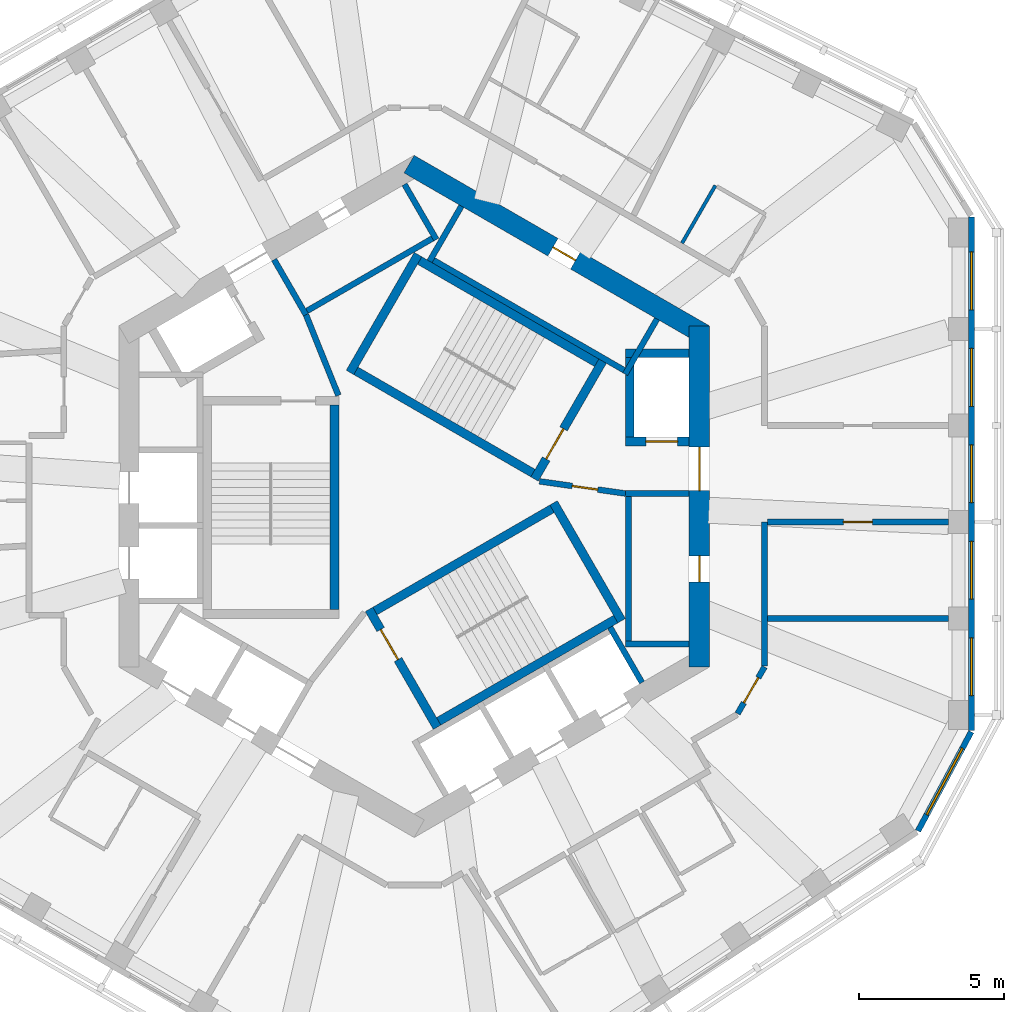
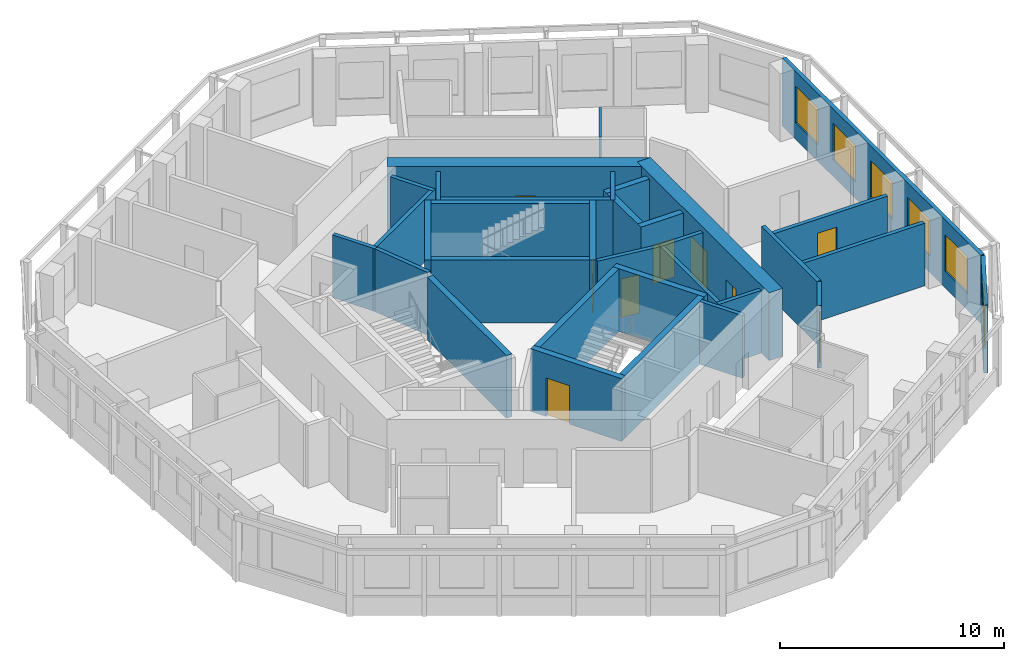
# One storey, part 6 of 11: 33 walls, 9 doors, 6 windows, 15 openings.
"""IFC4 building model written with IfcOpenShell, lengths in metres."""

import ifcopenshell
import ifcopenshell.guid

model = None  # the IFC model being written
_history = None  # IfcOwnerHistory: only IFC2X3 demands one
_inside = {}  # id of a spatial element -> (the spatial element, [elements in it])
_under = {}  # id of a project, library or spatial element -> (it, [spatial elements below it])
_declared = {}  # id of a project -> (the project, [libraries it declares])
_typed = {}  # id of a type object -> (the type object, [elements of that type])
_made_of = {}  # id of a material, layer set ... -> (it, [elements and type objects made of it])


def new_model(schema):
    """Start an empty IFC model of exactly this schema.

    Asked for "IFC4X3", IfcOpenShell would pick the latest addendum, in which some entities
    have other attributes; the version numbers below select the first issue.
    IFC2X3 requires an IfcOwnerHistory on every rooted entity: one is made here for all.
    """
    global model, _history
    if schema == "IFC4X3":
        model = ifcopenshell.file(schema_version=(4, 3, 0, 0))
    else:
        model = ifcopenshell.file(schema=schema)
    _inside.clear()
    _under.clear()
    _declared.clear()
    _typed.clear()
    _made_of.clear()
    _history = None
    if model.schema == "IFC2X3":
        org = make("IfcOrganization", Name="unknown")
        user = make(
            "IfcPersonAndOrganization",
            ThePerson=make("IfcPerson", FamilyName="unknown"),
            TheOrganization=org,
        )
        app = make(
            "IfcApplication",
            ApplicationDeveloper=org,
            Version="unknown",
            ApplicationFullName="unknown",
            ApplicationIdentifier="unknown",
        )
        _history = make(
            "IfcOwnerHistory",
            OwningUser=user,
            OwningApplication=app,
            ChangeAction="ADDED",
            CreationDate=0,
        )
    return model


def make(cls, **values):
    """One entity of the class cls with the attributes given. An attribute that is None is left unset."""
    return model.create_entity(
        cls, **{name: value for name, value in values.items() if value is not None}
    )


def rooted(cls, **values):
    """An entity with a GlobalId (a new one), such as an element, a storey or a relation."""
    return make(cls, GlobalId=ifcopenshell.guid.new(), OwnerHistory=_history, **values)


def si_unit(unit_type, name, prefix=None):
    """IfcSIUnit, for example si_unit("LENGTHUNIT", "METRE", prefix="MILLI")."""
    return make("IfcSIUnit", UnitType=unit_type, Prefix=prefix, Name=name)


def assignment(units):
    """IfcUnitAssignment: the units of a project."""
    return None if units is None else make("IfcUnitAssignment", Units=units)


def point(xyz):
    """IfcCartesianPoint."""
    return None if xyz is None else make("IfcCartesianPoint", Coordinates=xyz)


def direction(xyz):
    """IfcDirection."""
    return None if xyz is None else make("IfcDirection", DirectionRatios=xyz)


def frame(location, z_axis=None, x_axis=None):
    """IfcAxis2Placement3D, a coordinate frame: its origin and axes. An axis left out is left unset."""
    return make(
        "IfcAxis2Placement3D",
        Location=point(location),
        Axis=direction(z_axis),
        RefDirection=direction(x_axis),
    )


def frame_2d(location, x_axis=None):
    """IfcAxis2Placement2D, a coordinate frame in the plane: its origin and x axis."""
    return make(
        "IfcAxis2Placement2D", Location=point(location), RefDirection=direction(x_axis)
    )


def origin():
    """The frame at (0, 0, 0) with its axes left unset."""
    return frame((0.0, 0.0, 0.0))


def place(relative_to, where):
    """IfcLocalPlacement: puts the frame where relative to a parent placement (None: the world)."""
    return make(
        "IfcLocalPlacement", PlacementRelTo=relative_to, RelativePlacement=where
    )


def context(
    kind, dimensions, precision=None, world=None, true_north=None, identifier=None
):
    """IfcGeometricRepresentationContext, for example the 3D "Model" context."""
    return make(
        "IfcGeometricRepresentationContext",
        ContextIdentifier=identifier,
        ContextType=kind,
        CoordinateSpaceDimension=dimensions,
        Precision=precision,
        WorldCoordinateSystem=world,
        TrueNorth=true_north,
    )


def subcontext(parent, identifier, kind, view, scale=None):
    """IfcGeometricRepresentationSubContext, for example "Body" below "Model"."""
    return make(
        "IfcGeometricRepresentationSubContext",
        ContextIdentifier=identifier,
        ContextType=kind,
        ParentContext=parent,
        TargetScale=scale,
        TargetView=view,
    )


def project(units=None, contexts=None):
    """IfcProject with its units and contexts."""
    return rooted(
        "IfcProject",
        Name="project",
        RepresentationContexts=contexts,
        UnitsInContext=assignment(units),
    )


def spatial(cls, under=None, at=None, **own):
    """A site, building, storey or space (cls), placed at a placement, below another one or the project."""
    s = rooted(cls, ObjectPlacement=at, **own)
    if under is not None:
        _under.setdefault(under.id(), (under, []))[1].append(s)
    return s


def profile(cls, at=None, kind="AREA", **sizes):
    """A parametric profile (cls). Its sizes go by their IFC names, for example OverallWidth=200.0."""
    return make(cls, ProfileType=kind, Position=at, **sizes)


def rectangle(**sizes):
    """IfcRectangleProfileDef."""
    return profile("IfcRectangleProfileDef", **sizes)


def extrude(swept, where, along, depth):
    """IfcExtrudedAreaSolid: the profile swept, set in the frame where, extruded along a direction by depth."""
    return make(
        "IfcExtrudedAreaSolid",
        SweptArea=swept,
        Position=where,
        ExtrudedDirection=direction(along),
        Depth=depth,
    )


def shape(context_of_items, identifier, shape_type, items):
    """IfcShapeRepresentation: the items that make up one representation, for example the "Body"."""
    return make(
        "IfcShapeRepresentation",
        ContextOfItems=context_of_items,
        RepresentationIdentifier=identifier,
        RepresentationType=shape_type,
        Items=items,
    )


def material(Name=None, Category=None):
    """IfcMaterial."""
    return make("IfcMaterial", Name=Name, Category=Category)


def layer(
    of_material, thickness, ventilated=None, Name=None, Category=None, Priority=None
):
    """IfcMaterialLayer: one layer of a wall or slab, of a material (None: an air gap)."""
    return make(
        "IfcMaterialLayer",
        Material=of_material,
        LayerThickness=thickness,
        IsVentilated=ventilated,
        Name=Name,
        Category=Category,
        Priority=Priority,
    )


def layer_set(layers, Name=None):
    """IfcMaterialLayerSet."""
    return make("IfcMaterialLayerSet", MaterialLayers=layers, LayerSetName=Name)


def made_of(thing, what):
    """Note that an element or type object is made of a material, layer set ...; save() writes the relation."""
    if what is not None:
        _made_of.setdefault(what.id(), (what, []))[1].append(thing)
    return thing


def type_object(cls, material=None, **own):
    """A type object (cls), such as IfcWallType, which elements share."""
    return made_of(rooted(cls, **own), material)


def element(
    cls,
    number,
    at=None,
    inside=None,
    cuts=None,
    type_object=None,
    material=None,
    context=None,
    identifier="Body",
    shape_type=None,
    held_by="IfcProductDefinitionShape",
    body=None,
    shapes=None,
    **own,
):
    """One element of the class cls, such as IfcWall. Its Tag is "e" and its number.

    at: its placement. inside: the storey or other place that contains it. cuts: it is an
    opening in that element (IfcRelVoidsElement). A single representation is given by context,
    identifier, shape_type and body (its items); several are given by shapes. held_by: the class
    of the entity that holds the representations. save() writes the other relations.
    """
    e = rooted(cls, Tag="e%d" % number, ObjectPlacement=at, **own)
    if body is not None:
        shapes = [shape(context, identifier, shape_type, body)]
    if shapes is not None:
        e.Representation = make(held_by, Representations=shapes)
    if inside is not None:
        _inside.setdefault(inside.id(), (inside, []))[1].append(e)
    if cuts is not None:
        rooted(
            "IfcRelVoidsElement", RelatingBuildingElement=cuts, RelatedOpeningElement=e
        )
    if type_object is not None:
        _typed.setdefault(type_object.id(), (type_object, []))[1].append(e)
    return made_of(e, material)


def fill(opening, filler):
    """IfcRelFillsElement: the door or window that sits in an opening."""
    return rooted(
        "IfcRelFillsElement",
        RelatingOpeningElement=opening,
        RelatedBuildingElement=filler,
    )


def aggregate(whole, parts):
    """IfcRelAggregates: a whole, such as a stair, and the parts it consists of."""
    return rooted("IfcRelAggregates", RelatingObject=whole, RelatedObjects=parts)


def save(model, path):
    """Write the relations noted so far, then the file.

    IfcRelAggregates (storeys below a building ...), IfcRelContainedInSpatialStructure (elements
    in a storey), IfcRelDefinesByType, IfcRelAssociatesMaterial and IfcRelDeclares: one each for
    every whole, place, type object, material and project.
    """
    for whole, parts in _under.values():
        aggregate(whole, parts)
    for where, things in _inside.values():
        rooted(
            "IfcRelContainedInSpatialStructure",
            RelatedElements=things,
            RelatingStructure=where,
        )
    for kind, things in _typed.values():
        rooted("IfcRelDefinesByType", RelatedObjects=things, RelatingType=kind)
    for what, things in _made_of.values():
        rooted("IfcRelAssociatesMaterial", RelatedObjects=things, RelatingMaterial=what)
    for by, libraries in _declared.values():
        rooted("IfcRelDeclares", RelatingContext=by, RelatedDefinitions=libraries)
    model.write(path)


model = new_model("IFC4")

# Units and contexts
model_context = context("Model", 3, precision=1e-05, world=origin(), true_north=direction((0.0, 1.0)))
body_context = subcontext(model_context, "Body", "Model", "MODEL_VIEW")
ifc_project = project(units=[si_unit("LENGTHUNIT", "METRE"), si_unit("AREAUNIT", "SQUARE_METRE"), si_unit("VOLUMEUNIT", "CUBIC_METRE"), si_unit("PLANEANGLEUNIT", "RADIAN"), si_unit("MASSUNIT", "GRAM", prefix="KILO")], contexts=[model_context])

# Site, building, storey
site_placement = place(None, origin())
site = spatial("IfcSite", under=ifc_project, at=site_placement, CompositionType="ELEMENT")
building_placement = place(site_placement, origin())
building = spatial("IfcBuilding", under=site, at=building_placement, Name="Vanh Sen Convention Tower", CompositionType="ELEMENT")
storey_placement = place(building_placement, frame((0.0, 0.0, 285.699951171875)))
storey = spatial("IfcBuildingStorey", under=building, at=storey_placement, Name="L70", CompositionType="ELEMENT", Elevation=285.699951171875)

# Wall
ifc_material_1 = material(Name="Moisture-resistant gypsum board on steel studs", Category="steel")
ifc_layer_1 = layer(ifc_material_1, 0.1201171875)
ifc_layer_set_1 = layer_set([ifc_layer_1], Name="Moisture-resistant gypsum board on steel studs")
wall_type_1 = type_object("IfcWallType", Name="Bathroom partition 120", PredefinedType="PARTITIONING", material=ifc_layer_set_1)
wall_1_placement = place(storey_placement, frame((9.25146484375, 8.74609375, 0.0), z_axis=(0.0, 0.0, 1.0), x_axis=(0.499998129301, 0.86602648383, 0.0)))
element("IfcWall", 1, at=wall_1_placement, inside=storey, type_object=wall_type_1, Name="Bathroom partition 120", PredefinedType="PARTITIONING", context=body_context, shape_type="SweptSolid", body=[
    extrude(rectangle(XDim=2.2998046875, YDim=0.1201171875, at=frame_2d((1.14990234375, 0.0))), origin(), (0.0, 0.0, 1.0), 3.420166015625),
])

# Wall, openings, doors
ifc_material_2 = material(Name="Concrete C60/75", Category="concrete")
ifc_layer_2 = layer(ifc_material_2, 0.699951171875)
ifc_layer_set_2 = layer_set([ifc_layer_2], Name="Concrete C60/75")
wall_type_2 = type_object("IfcWallType", Name="Core outer wall 700 C60/75", PredefinedType="SHEAR", material=ifc_layer_set_2)
wall_2_placement = place(storey_placement, frame((9.85009765625, -5.888916015625, 0.0), z_axis=(0.0, 0.0, 1.0), x_axis=(0.0, 1.0, 0.0)))
wall_2 = element("IfcWall", 2, at=wall_2_placement, inside=storey, type_object=wall_type_2, Name="Core wall face E L70", PredefinedType="SHEAR", context=body_context, shape_type="SweptSolid", body=[
    extrude(rectangle(XDim=11.77783203125, YDim=0.699951171875, at=frame_2d((5.888916015625, 0.0))), origin(), (0.0, 0.0, 1.0), 3.699951171875),
])
opening_1_placement = place(wall_2_placement, frame((6.089111328125, 0.0, 0.0)))
opening_1 = element("IfcOpeningElement", 3, at=opening_1_placement, cuts=wall_2, Name="Opening D70001", PredefinedType="OPENING", context=body_context, shape_type="SweptSolid", body=[
    extrude(rectangle(XDim=1.5, YDim=2.10009765625, at=frame_2d((0.75, 1.050048828125))), frame((0.0, 0.35986328125, 0.0), z_axis=(0.0, -1.0, 0.0), x_axis=(1.0, 0.0, 0.0)), (0.0, 0.0, 1.0), 0.719970703125),
])
opening_2_placement = place(wall_2_placement, frame((2.93896484375, 0.0, 0.0)))
opening_2 = element("IfcOpeningElement", 4, at=opening_2_placement, cuts=wall_2, Name="Opening D70008", PredefinedType="OPENING", context=body_context, shape_type="SweptSolid", body=[
    extrude(rectangle(XDim=0.89990234375, YDim=2.10009765625, at=frame_2d((0.449951171875, 1.050048828125))), frame((0.0, 0.35986328125, 0.0), z_axis=(0.0, -1.0, 0.0), x_axis=(1.0, 0.0, 0.0)), (0.0, 0.0, 1.0), 0.719970703125),
])
ifc_material_3 = material(Name="Steel S355", Category="steel")
door_type_1 = type_object("IfcDoorType", Name="Plant door 900", OperationType="SINGLE_SWING_LEFT", PredefinedType="DOOR", material=ifc_material_3)
door_1_placement = place(opening_2_placement, origin())
door_1 = element("IfcDoor", 5, at=door_1_placement, inside=storey, type_object=door_type_1, Name="Plant door D70008", OperationType="SINGLE_SWING_LEFT", OverallHeight=2.10009765625, OverallWidth=0.89990234375, PredefinedType="DOOR", context=body_context, shape_type="SweptSolid", body=[
    extrude(rectangle(XDim=0.89990234375, YDim=2.10009765625, at=frame_2d((0.449951171875, 1.050048828125))), frame((0.0, 0.02490234375, 0.0), z_axis=(0.0, -1.0, 0.0), x_axis=(1.0, 0.0, 0.0)), (0.0, 0.0, 1.0), 0.050048828125),
])
fill(opening_2, door_1)
door_type_2 = type_object("IfcDoorType", Name="Stair lobby door 1500", OperationType="DOUBLE_DOOR_SINGLE_SWING", PredefinedType="DOOR", material=ifc_material_3)
door_2_placement = place(opening_1_placement, origin())
door_2 = element("IfcDoor", 6, at=door_2_placement, inside=storey, type_object=door_type_2, Name="Stair lobby door D70001", OperationType="DOUBLE_DOOR_SINGLE_SWING", OverallHeight=2.10009765625, OverallWidth=1.5, PredefinedType="DOOR", context=body_context, shape_type="SweptSolid", body=[
    extrude(rectangle(XDim=1.5, YDim=2.10009765625, at=frame_2d((0.75, 1.050048828125))), frame((0.0, 0.02490234375, 0.0), z_axis=(0.0, -1.0, 0.0), x_axis=(1.0, 0.0, 0.0)), (0.0, 0.0, 1.0), 0.050048828125),
])
fill(opening_1, door_2)

# Wall, opening, door
wall_3_placement = place(storey_placement, frame((10.02490234375, 5.5859375, 0.0), z_axis=(0.0, 0.0, 1.0), x_axis=(-0.866026453023, 0.499998182661, 0.0)))
wall_3 = element("IfcWall", 7, at=wall_3_placement, inside=storey, type_object=wall_type_2, Name="Core wall face NE L70", PredefinedType="SHEAR", context=body_context, shape_type="SweptSolid", body=[
    extrude(rectangle(XDim=11.77783203125, YDim=0.699951171875, at=frame_2d((5.888916015625, 0.0))), origin(), (0.0, 0.0, 1.0), 3.699951171875),
])
opening_3_placement = place(wall_3_placement, frame((5.138916015625, 0.0, 0.0)))
opening_3 = element("IfcOpeningElement", 8, at=opening_3_placement, cuts=wall_3, Name="Opening D70009", PredefinedType="OPENING", context=body_context, shape_type="SweptSolid", body=[
    extrude(rectangle(XDim=0.89990234375, YDim=2.10009765625, at=frame_2d((0.449951171875, 1.050048828125))), frame((0.0, 0.35986328125, 0.0), z_axis=(0.0, -1.0, 0.0), x_axis=(1.0, 0.0, 0.0)), (0.0, 0.0, 1.0), 0.719970703125),
])
door_3_placement = place(opening_3_placement, origin())
door_3 = element("IfcDoor", 9, at=door_3_placement, inside=storey, type_object=door_type_1, Name="Plant door D70009", OperationType="SINGLE_SWING_LEFT", OverallHeight=2.10009765625, OverallWidth=0.89990234375, PredefinedType="DOOR", context=body_context, shape_type="SweptSolid", body=[
    extrude(rectangle(XDim=0.89990234375, YDim=2.10009765625, at=frame_2d((0.449951171875, 1.050048828125))), frame((0.0, 0.02490234375, 0.0), z_axis=(0.0, -1.0, 0.0), x_axis=(1.0, 0.0, 0.0)), (0.0, 0.0, 1.0), 0.050048828125),
])
fill(opening_3, door_3)

ifc_material_4 = material(Name="Gypsum board on steel studs with mineral wool", Category="steel")
ifc_layer_3 = layer(ifc_material_4, 0.199951171875)
ifc_layer_set_3 = layer_set([ifc_layer_3], Name="Gypsum board on steel studs with mineral wool")
wall_type_3 = type_object("IfcWallType", Name="Corridor partition wall 200", PredefinedType="PARTITIONING", material=ifc_layer_set_3)
wall_4_placement = place(storey_placement, frame((11.169921875, -7.5, 0.0), z_axis=(0.0, 0.0, 1.0), x_axis=(0.500006454166, 0.866021677438, 0.0)))
wall_4 = element("IfcWall", 10, at=wall_4_placement, inside=storey, type_object=wall_type_3, Name="Corridor partition wall 200", PredefinedType="PARTITIONING", context=body_context, shape_type="SweptSolid", body=[
    extrude(rectangle(XDim=1.8603515625, YDim=0.199951171875, at=frame_2d((0.93017578125, 0.0))), origin(), (0.0, 0.0, 1.0), 3.420166015625),
])
opening_4_placement = place(wall_4_placement, frame((0.429931640625, 0.0, 0.0)))
opening_4 = element("IfcOpeningElement", 11, at=opening_4_placement, cuts=wall_4, Name="Opening D70116", PredefinedType="OPENING", context=body_context, shape_type="SweptSolid", body=[
    extrude(rectangle(XDim=1.0, YDim=2.10009765625, at=frame_2d((0.5, 1.050048828125))), frame((0.0, 0.10986328125, 0.0), z_axis=(0.0, -1.0, 0.0), x_axis=(1.0, 0.0, 0.0)), (0.0, 0.0, 1.0), 0.219970703125),
])
ifc_material_5 = material(Name="Glazed fire door in steel frame", Category="steel")
door_type_3 = type_object("IfcDoorType", Name="Tenant entrance door 1000", OperationType="SINGLE_SWING_LEFT", PredefinedType="DOOR", material=ifc_material_5)
door_4_placement = place(opening_4_placement, origin())
door_4 = element("IfcDoor", 12, at=door_4_placement, inside=storey, type_object=door_type_3, Name="Tenant suite entrance door D70116", OperationType="SINGLE_SWING_LEFT", OverallHeight=2.10009765625, OverallWidth=1.0, PredefinedType="DOOR", context=body_context, shape_type="SweptSolid", body=[
    extrude(rectangle(XDim=1.0, YDim=2.10009765625, at=frame_2d((0.5, 1.050048828125))), frame((0.0, 0.02490234375, 0.0), z_axis=(0.0, -1.0, 0.0), x_axis=(1.0, 0.0, 0.0)), (0.0, 0.0, 1.0), 0.050048828125),
])
fill(opening_4, door_4)

# Wall
wall_5_placement = place(storey_placement, frame((12.10009765625, -5.84912109375, 0.0), z_axis=(0.0, 0.0, 1.0), x_axis=(0.0, 1.0, 0.0)))
element("IfcWall", 13, at=wall_5_placement, inside=storey, type_object=wall_type_3, Name="Corridor partition wall 200", PredefinedType="PARTITIONING", context=body_context, shape_type="SweptSolid", body=[
    extrude(rectangle(XDim=4.9658203125, YDim=0.199951171875, at=frame_2d((2.48291015625, 0.0))), origin(), (0.0, 0.0, 1.0), 3.420166015625),
])

# Wall, opening, door
wall_6_placement = place(storey_placement, frame((12.199951171875, -0.88330078125, 0.0), z_axis=(0.0, 0.0, 1.0), x_axis=(1.0, 0.0, 0.0)))
wall_6 = element("IfcWall", 14, at=wall_6_placement, inside=storey, type_object=wall_type_3, Name="Corridor partition wall 200", PredefinedType="PARTITIONING", context=body_context, shape_type="SweptSolid", body=[
    extrude(rectangle(XDim=6.25, YDim=0.199951171875, at=frame_2d((3.125, 0.0))), origin(), (0.0, 0.0, 1.0), 2.8701171875),
])
opening_5_placement = place(wall_6_placement, frame((2.625, 0.0, 0.0)))
opening_5 = element("IfcOpeningElement", 15, at=opening_5_placement, cuts=wall_6, Name="Opening D70120", PredefinedType="OPENING", context=body_context, shape_type="SweptSolid", body=[
    extrude(rectangle(XDim=1.0, YDim=2.10009765625, at=frame_2d((0.5, 1.050048828125))), frame((0.0, 0.10986328125, 0.0), z_axis=(0.0, -1.0, 0.0), x_axis=(1.0, 0.0, 0.0)), (0.0, 0.0, 1.0), 0.219970703125),
])
door_5_placement = place(opening_5_placement, origin())
door_5 = element("IfcDoor", 16, at=door_5_placement, inside=storey, type_object=door_type_3, Name="Tenant suite entrance door D70120", OperationType="SINGLE_SWING_LEFT", OverallHeight=2.10009765625, OverallWidth=1.0, PredefinedType="DOOR", context=body_context, shape_type="SweptSolid", body=[
    extrude(rectangle(XDim=1.0, YDim=2.10009765625, at=frame_2d((0.5, 1.050048828125))), frame((0.0, 0.02490234375, 0.0), z_axis=(0.0, -1.0, 0.0), x_axis=(1.0, 0.0, 0.0)), (0.0, 0.0, 1.0), 0.050048828125),
])
fill(opening_5, door_5)

# Wall, openings, windows
ifc_material_6 = material(Name="Insulated lightweight infill wall")
ifc_layer_4 = layer(ifc_material_6, 0.199951171875)
ifc_layer_set_4 = layer_set([ifc_layer_4], Name="Insulated lightweight infill wall")
wall_type_4 = type_object("IfcWallType", Name="External wall 200", PredefinedType="STANDARD", material=ifc_layer_set_4)
wall_7_placement = place(storey_placement, frame((19.25, -8.083984375, 0.0), z_axis=(0.0, 0.0, 1.0), x_axis=(0.0, 1.0, 0.0)))
wall_7 = element("IfcWall", 17, at=wall_7_placement, inside=storey, type_object=wall_type_4, Name="External wall E L70", PredefinedType="STANDARD", context=body_context, shape_type="SweptSolid", body=[
    extrude(rectangle(XDim=17.731201171875, YDim=0.199951171875, at=frame_2d((8.86572265625, 0.0))), origin(), (0.0, 0.0, 1.0), 3.699951171875),
])
opening_6_placement = place(wall_7_placement, frame((1.203125, 0.0, 0.89990234375)))
opening_6 = element("IfcOpeningElement", 18, at=opening_6_placement, cuts=wall_7, Name="Opening WO5-E1", PredefinedType="OPENING", context=body_context, shape_type="SweptSolid", body=[
    extrude(rectangle(XDim=2.0, YDim=2.0, at=frame_2d((1.0, 1.0))), frame((0.0, 0.10986328125, 0.0), z_axis=(0.0, -1.0, 0.0), x_axis=(1.0, 0.0, 0.0)), (0.0, 0.0, 1.0), 0.219970703125),
])
opening_7_placement = place(wall_7_placement, frame((4.534912109375, 0.0, 0.89990234375)))
opening_7 = element("IfcOpeningElement", 19, at=opening_7_placement, cuts=wall_7, Name="Opening WO5-E2", PredefinedType="OPENING", context=body_context, shape_type="SweptSolid", body=[
    extrude(rectangle(XDim=2.0, YDim=2.0, at=frame_2d((1.0, 1.0))), frame((0.0, 0.10986328125, 0.0), z_axis=(0.0, -1.0, 0.0), x_axis=(1.0, 0.0, 0.0)), (0.0, 0.0, 1.0), 0.219970703125),
])
opening_8_placement = place(wall_7_placement, frame((7.866455078125, 0.0, 0.89990234375)))
opening_8 = element("IfcOpeningElement", 20, at=opening_8_placement, cuts=wall_7, Name="Opening WO5-E3", PredefinedType="OPENING", context=body_context, shape_type="SweptSolid", body=[
    extrude(rectangle(XDim=2.0, YDim=2.0, at=frame_2d((1.0, 1.0))), frame((0.0, 0.10986328125, 0.0), z_axis=(0.0, -1.0, 0.0), x_axis=(1.0, 0.0, 0.0)), (0.0, 0.0, 1.0), 0.219970703125),
])
opening_9_placement = place(wall_7_placement, frame((11.197998046875, 0.0, 0.89990234375)))
opening_9 = element("IfcOpeningElement", 21, at=opening_9_placement, cuts=wall_7, Name="Opening WO5-E4", PredefinedType="OPENING", context=body_context, shape_type="SweptSolid", body=[
    extrude(rectangle(XDim=2.0, YDim=2.0, at=frame_2d((1.0, 1.0))), frame((0.0, 0.10986328125, 0.0), z_axis=(0.0, -1.0, 0.0), x_axis=(1.0, 0.0, 0.0)), (0.0, 0.0, 1.0), 0.219970703125),
])
opening_10_placement = place(wall_7_placement, frame((14.52978515625, 0.0, 0.89990234375)))
opening_10 = element("IfcOpeningElement", 22, at=opening_10_placement, cuts=wall_7, Name="Opening WO5-E5", PredefinedType="OPENING", context=body_context, shape_type="SweptSolid", body=[
    extrude(rectangle(XDim=2.0, YDim=2.0, at=frame_2d((1.0, 1.0))), frame((0.0, 0.10986328125, 0.0), z_axis=(0.0, -1.0, 0.0), x_axis=(1.0, 0.0, 0.0)), (0.0, 0.0, 1.0), 0.219970703125),
])
ifc_material_7 = material(Name="Aluminium frame with clear low-emissivity glass", Category="aluminium")
window_type_1 = type_object("IfcWindowType", Name="Office window 2000 x 2000", PartitioningType="SINGLE_PANEL", PredefinedType="WINDOW", material=ifc_material_7)
window_1_placement = place(opening_6_placement, origin())
window_1 = element("IfcWindow", 23, at=window_1_placement, inside=storey, type_object=window_type_1, Name="Window WO5-E1", OverallHeight=2.0, OverallWidth=2.0, PartitioningType="SINGLE_PANEL", PredefinedType="WINDOW", context=body_context, shape_type="SweptSolid", body=[
    extrude(rectangle(XDim=2.0, YDim=2.0, at=frame_2d((1.0, 1.0))), frame((0.0, 0.030029296875, 0.0), z_axis=(0.0, -1.0, 0.0), x_axis=(1.0, 0.0, 0.0)), (0.0, 0.0, 1.0), 0.06005859375),
])
fill(opening_6, window_1)
window_2_placement = place(opening_7_placement, origin())
window_2 = element("IfcWindow", 24, at=window_2_placement, inside=storey, type_object=window_type_1, Name="Window WO5-E2", OverallHeight=2.0, OverallWidth=2.0, PartitioningType="SINGLE_PANEL", PredefinedType="WINDOW", context=body_context, shape_type="SweptSolid", body=[
    extrude(rectangle(XDim=2.0, YDim=2.0, at=frame_2d((1.0, 1.0))), frame((0.0, 0.030029296875, 0.0), z_axis=(0.0, -1.0, 0.0), x_axis=(1.0, 0.0, 0.0)), (0.0, 0.0, 1.0), 0.06005859375),
])
fill(opening_7, window_2)
window_3_placement = place(opening_8_placement, origin())
window_3 = element("IfcWindow", 25, at=window_3_placement, inside=storey, type_object=window_type_1, Name="Window WO5-E3", OverallHeight=2.0, OverallWidth=2.0, PartitioningType="SINGLE_PANEL", PredefinedType="WINDOW", context=body_context, shape_type="SweptSolid", body=[
    extrude(rectangle(XDim=2.0, YDim=2.0, at=frame_2d((1.0, 1.0))), frame((0.0, 0.030029296875, 0.0), z_axis=(0.0, -1.0, 0.0), x_axis=(1.0, 0.0, 0.0)), (0.0, 0.0, 1.0), 0.06005859375),
])
fill(opening_8, window_3)
window_4_placement = place(opening_9_placement, origin())
window_4 = element("IfcWindow", 26, at=window_4_placement, inside=storey, type_object=window_type_1, Name="Window WO5-E4", OverallHeight=2.0, OverallWidth=2.0, PartitioningType="SINGLE_PANEL", PredefinedType="WINDOW", context=body_context, shape_type="SweptSolid", body=[
    extrude(rectangle(XDim=2.0, YDim=2.0, at=frame_2d((1.0, 1.0))), frame((0.0, 0.030029296875, 0.0), z_axis=(0.0, -1.0, 0.0), x_axis=(1.0, 0.0, 0.0)), (0.0, 0.0, 1.0), 0.06005859375),
])
fill(opening_9, window_4)
window_5_placement = place(opening_10_placement, origin())
window_5 = element("IfcWindow", 27, at=window_5_placement, inside=storey, type_object=window_type_1, Name="Window WO5-E5", OverallHeight=2.0, OverallWidth=2.0, PartitioningType="SINGLE_PANEL", PredefinedType="WINDOW", context=body_context, shape_type="SweptSolid", body=[
    extrude(rectangle(XDim=2.0, YDim=2.0, at=frame_2d((1.0, 1.0))), frame((0.0, 0.030029296875, 0.0), z_axis=(0.0, -1.0, 0.0), x_axis=(1.0, 0.0, 0.0)), (0.0, 0.0, 1.0), 0.06005859375),
])
fill(opening_10, window_5)

# Wall, opening, window
wall_8_placement = place(storey_placement, frame((17.39892578125, -11.55419921875, 0.0), z_axis=(0.0, 0.0, 1.0), x_axis=(0.473309051311, 0.880896442238, 0.0)))
wall_8 = element("IfcWall", 28, at=wall_8_placement, inside=storey, type_object=wall_type_4, Name="External wall CH6 L70", PredefinedType="STANDARD", context=body_context, shape_type="SweptSolid", body=[
    extrude(rectangle(XDim=3.8857421875, YDim=0.199951171875, at=frame_2d((1.94287109375, 0.0))), origin(), (0.0, 0.0, 1.0), 3.699951171875),
])
opening_11_placement = place(wall_8_placement, frame((0.642822265625, 0.0, 0.89990234375)))
opening_11 = element("IfcOpeningElement", 29, at=opening_11_placement, cuts=wall_8, Name="Opening WO6-CH61", PredefinedType="OPENING", context=body_context, shape_type="SweptSolid", body=[
    extrude(rectangle(XDim=2.60009765625, YDim=2.0, at=frame_2d((1.300048828125, 1.0))), frame((0.0, 0.10986328125, 0.0), z_axis=(0.0, -1.0, 0.0), x_axis=(1.0, 0.0, 0.0)), (0.0, 0.0, 1.0), 0.219970703125),
])
window_type_2 = type_object("IfcWindowType", Name="Office window 2600 x 2000", PartitioningType="SINGLE_PANEL", PredefinedType="WINDOW", material=ifc_material_7)
window_6_placement = place(opening_11_placement, origin())
window_6 = element("IfcWindow", 30, at=window_6_placement, inside=storey, type_object=window_type_2, Name="Window WO6-CH61", OverallHeight=2.0, OverallWidth=2.60009765625, PartitioningType="SINGLE_PANEL", PredefinedType="WINDOW", context=body_context, shape_type="SweptSolid", body=[
    extrude(rectangle(XDim=2.60009765625, YDim=2.0, at=frame_2d((1.300048828125, 1.0))), frame((0.0, 0.030029296875, 0.0), z_axis=(0.0, -1.0, 0.0), x_axis=(1.0, 0.0, 0.0)), (0.0, 0.0, 1.0), 0.06005859375),
])
fill(opening_11, window_6)

# Wall, opening, door
ifc_layer_5 = layer(ifc_material_2, 0.300048828125)
ifc_layer_set_5 = layer_set([ifc_layer_5], Name="Concrete C60/75")
wall_type_5 = type_object("IfcWallType", Name="Fire-fighting lift shaft wall 300", PredefinedType="SHEAR", material=ifc_layer_set_5)
wall_9_placement = place(storey_placement, frame((7.300048828125, 1.89990234375, 0.0), z_axis=(0.0, 0.0, 1.0), x_axis=(1.0, 0.0, 0.0)))
wall_9 = element("IfcWall", 31, at=wall_9_placement, inside=storey, type_object=wall_type_5, Name="Fire-fighting lift shaft wall L70", PredefinedType="SHEAR", context=body_context, shape_type="SweptSolid", body=[
    extrude(rectangle(XDim=2.199951171875, YDim=0.300048828125, at=frame_2d((1.10009765625, 0.0))), origin(), (0.0, 0.0, 1.0), 3.420166015625),
])
opening_12_placement = place(wall_9_placement, frame((0.699951171875, 0.0, 0.0)))
opening_12 = element("IfcOpeningElement", 32, at=opening_12_placement, cuts=wall_9, Name="Opening LD-FF1", PredefinedType="OPENING", context=body_context, shape_type="SweptSolid", body=[
    extrude(rectangle(XDim=1.10009765625, YDim=2.10009765625, at=frame_2d((0.550048828125, 1.050048828125))), frame((0.0, 0.159912109375, 0.0), z_axis=(0.0, -1.0, 0.0), x_axis=(1.0, 0.0, 0.0)), (0.0, 0.0, 1.0), 0.320068359375),
])
ifc_material_8 = material(Name="Stainless steel", Category="steel")
door_type_4 = type_object("IfcDoorType", Name="Fire-fighting lift landing door 1100", OperationType="DOUBLE_DOOR_SLIDING", PredefinedType="DOOR", material=ifc_material_8)
door_6_placement = place(opening_12_placement, origin())
door_6 = element("IfcDoor", 33, at=door_6_placement, inside=storey, type_object=door_type_4, Name="Lift FF1 landing door LD-FF1", OperationType="DOUBLE_DOOR_SLIDING", OverallHeight=2.10009765625, OverallWidth=1.10009765625, PredefinedType="DOOR", context=body_context, shape_type="SweptSolid", body=[
    extrude(rectangle(XDim=1.10009765625, YDim=2.10009765625, at=frame_2d((0.550048828125, 1.050048828125))), frame((0.0, 0.02490234375, 0.0), z_axis=(0.0, -1.0, 0.0), x_axis=(1.0, 0.0, 0.0)), (0.0, 0.0, 1.0), 0.050048828125),
])
fill(opening_12, door_6)

# Walls
wall_10_placement = place(storey_placement, frame((7.449951171875, 1.75, 0.0), z_axis=(0.0, 0.0, 1.0), x_axis=(0.0, 1.0, 0.0)))
element("IfcWall", 34, at=wall_10_placement, inside=storey, type_object=wall_type_5, Name="Fire-fighting lift shaft wall L70", PredefinedType="SHEAR", context=body_context, shape_type="SweptSolid", body=[
    extrude(rectangle(XDim=3.35009765625, YDim=0.300048828125, at=frame_2d((1.675048828125, 0.0))), origin(), (0.0, 0.0, 1.0), 3.420166015625),
])
wall_11_placement = place(storey_placement, frame((7.300048828125, 4.949951171875, 0.0), z_axis=(0.0, 0.0, 1.0), x_axis=(1.0, 0.0, 0.0)))
element("IfcWall", 35, at=wall_11_placement, inside=storey, type_object=wall_type_5, Name="Fire-fighting lift shaft wall L70", PredefinedType="SHEAR", context=body_context, shape_type="SweptSolid", body=[
    extrude(rectangle(XDim=2.199951171875, YDim=0.300048828125, at=frame_2d((1.10009765625, 0.0))), origin(), (0.0, 0.0, 1.0), 3.420166015625),
])
ifc_material_9 = material(Name="Concrete C40/50", Category="concrete")
ifc_layer_6 = layer(ifc_material_9, 0.199951171875)
ifc_layer_set_6 = layer_set([ifc_layer_6], Name="Concrete C40/50")
wall_type_6 = type_object("IfcWallType", Name="Lift shaft wall 200", PredefinedType="PARTITIONING", material=ifc_layer_set_6)
wall_12_placement = place(storey_placement, frame((7.39990234375, -5.199951171875, 0.0), z_axis=(0.0, 0.0, 1.0), x_axis=(0.0, 1.0, 0.0)))
element("IfcWall", 36, at=wall_12_placement, inside=storey, type_object=wall_type_6, Name="Lift shaft wall L70", PredefinedType="PARTITIONING", context=body_context, shape_type="SweptSolid", body=[
    extrude(rectangle(XDim=5.39990234375, YDim=0.199951171875, at=frame_2d((2.699951171875, 0.0))), origin(), (0.0, 0.0, 1.0), 3.420166015625),
])
for number, where, z_axis, x_axis, name in (
    (37, (7.300048828125, -5.10009765625, 0.0), (0.0, 0.0, 1.0), (1.0, 0.0, 0.0), "Lift shaft wall L70"),
    (38, (7.300048828125, 0.10009765625, 0.0), (0.0, 0.0, 1.0), (1.0, 0.0, 0.0), "Lift shaft wall L70"),
):
    element("IfcWall", number, at=place(storey_placement, frame(where, z_axis=z_axis, x_axis=x_axis)), inside=storey, type_object=wall_type_6, Name=name, PredefinedType="PARTITIONING", context=body_context, shape_type="SweptSolid", body=[
        extrude(rectangle(XDim=2.199951171875, YDim=0.199951171875, at=frame_2d((1.10009765625, 0.0))), origin(), (0.0, 0.0, 1.0), 3.420166015625),
    ])
wall_13_placement = place(storey_placement, frame((7.423828125, 4.258544921875, 0.0), z_axis=(0.0, 0.0, 1.0), x_axis=(-0.866026010844, 0.49999894854, 0.0)))
element("IfcWall", 39, at=wall_13_placement, inside=storey, type_object=wall_type_6, Name="Lift shaft wall L70", PredefinedType="PARTITIONING", context=body_context, shape_type="SweptSolid", body=[
    extrude(rectangle(XDim=8.0, YDim=0.199951171875, at=frame_2d((4.0, 0.0))), origin(), (0.0, 0.0, 1.0), 3.420166015625),
])
for number, where, z_axis, x_axis, name in (
    (40, (7.287353515625, 4.221923828125, 0.0), (0.0, 0.0, 1.0), (0.499946605688, 0.86605622881, 0.0), "Lift shaft wall L70"),
    (41, (0.5322265625, 8.1220703125, 0.0), (0.0, 0.0, 1.0), (0.500077893725, 0.86598042715, 0.0), "Lift shaft wall L70"),
):
    element("IfcWall", number, at=place(storey_placement, frame(where, z_axis=z_axis, x_axis=x_axis)), inside=storey, type_object=wall_type_6, Name=name, PredefinedType="PARTITIONING", context=body_context, shape_type="SweptSolid", body=[
        extrude(rectangle(XDim=2.199951171875, YDim=0.199951171875, at=frame_2d((1.10009765625, 0.0))), origin(), (0.0, 0.0, 1.0), 3.420166015625),
    ])
wall_14_placement = place(storey_placement, frame((0.80322265625, 9.008544921875, 0.0), z_axis=(0.0, 0.0, 1.0), x_axis=(-0.866028230842, -0.499995103361, 0.0)))
element("IfcWall", 42, at=wall_14_placement, inside=storey, type_object=wall_type_6, Name="Lift shaft wall L70", PredefinedType="PARTITIONING", context=body_context, shape_type="SweptSolid", body=[
    extrude(rectangle(XDim=5.39990234375, YDim=0.199951171875, at=frame_2d((2.699951171875, 0.0))), origin(), (0.0, 0.0, 1.0), 3.420166015625),
])
wall_15_placement = place(storey_placement, frame((0.7666015625, 8.8720703125, 0.0), z_axis=(0.0, 0.0, 1.0), x_axis=(-0.499994660107, 0.866028486751, 0.0)))
element("IfcWall", 43, at=wall_15_placement, inside=storey, type_object=wall_type_6, Name="Lift shaft wall L70", PredefinedType="PARTITIONING", context=body_context, shape_type="SweptSolid", body=[
    extrude(rectangle(XDim=2.19970703125, YDim=0.199951171875, at=frame_2d((1.099853515625, 0.0))), origin(), (0.0, 0.0, 1.0), 3.420166015625),
])
for number, where, z_axis, x_axis, name in (
    (44, (-3.736572265625, 6.27197265625, 0.0), (0.0, 0.0, 1.0), (-0.50002983664, 0.866008176907, 0.0), "Lift shaft wall L70"),
    (45, (6.767578125, -4.52197265625, 0.0), (0.0, 0.0, 1.0), (0.50002983664, -0.866008176907, 0.0), "Lift shaft wall L70"),
):
    element("IfcWall", number, at=place(storey_placement, frame(where, z_axis=z_axis, x_axis=x_axis)), inside=storey, type_object=wall_type_6, Name=name, PredefinedType="PARTITIONING", context=body_context, shape_type="SweptSolid", body=[
        extrude(rectangle(XDim=2.199951171875, YDim=0.199951171875, at=frame_2d((1.10009765625, 0.0))), origin(), (0.0, 0.0, 1.0), 3.420166015625),
    ])

# Wall, opening, door
ifc_layer_7 = layer(ifc_material_9, 0.199951171875)
ifc_layer_set_7 = layer_set([ifc_layer_7], Name="Concrete C40/50")
wall_type_7 = type_object("IfcWallType", Name="Stair lobby wall 200", PredefinedType="PARTITIONING", material=ifc_layer_set_7)
wall_16_placement = place(storey_placement, frame((4.327392578125, 0.52099609375, 0.0), z_axis=(0.0, 0.0, 1.0), x_axis=(0.990124376366, -0.14019172346, 0.0)))
wall_16 = element("IfcWall", 46, at=wall_16_placement, inside=storey, type_object=wall_type_7, Name="Stair lobby wall L70", PredefinedType="PARTITIONING", context=body_context, shape_type="SweptSolid", body=[
    extrude(rectangle(XDim=3.002197265625, YDim=0.199951171875, at=frame_2d((1.5009765625, 0.0))), origin(), (0.0, 0.0, 1.0), 3.420166015625),
])
opening_13_placement = place(wall_16_placement, frame((1.13818359375, 0.0, 0.0)))
opening_13 = element("IfcOpeningElement", 47, at=opening_13_placement, cuts=wall_16, Name="Opening D70007", PredefinedType="OPENING", context=body_context, shape_type="SweptSolid", body=[
    extrude(rectangle(XDim=0.89990234375, YDim=2.10009765625, at=frame_2d((0.449951171875, 1.050048828125))), frame((0.0, 0.10986328125, 0.0), z_axis=(0.0, -1.0, 0.0), x_axis=(1.0, 0.0, 0.0)), (0.0, 0.0, 1.0), 0.219970703125),
])
door_7_placement = place(opening_13_placement, origin())
door_7 = element("IfcDoor", 48, at=door_7_placement, inside=storey, type_object=door_type_1, Name="Plant door D70007", OperationType="SINGLE_SWING_LEFT", OverallHeight=2.10009765625, OverallWidth=0.89990234375, PredefinedType="DOOR", context=body_context, shape_type="SweptSolid", body=[
    extrude(rectangle(XDim=0.89990234375, YDim=2.10009765625, at=frame_2d((0.449951171875, 1.050048828125))), frame((0.0, 0.02490234375, 0.0), z_axis=(0.0, -1.0, 0.0), x_axis=(1.0, 0.0, 0.0)), (0.0, 0.0, 1.0), 0.050048828125),
])
fill(opening_13, door_7)

# Wall
wall_17_placement = place(storey_placement, frame((-2.614990234375, 3.487060546875, 0.0), z_axis=(0.0, 0.0, 1.0), x_axis=(-0.373576831041, 0.92759924068, 0.0)))
element("IfcWall", 49, at=wall_17_placement, inside=storey, type_object=wall_type_7, Name="Stair lobby wall L70", PredefinedType="PARTITIONING", context=body_context, shape_type="SweptSolid", body=[
    extrude(rectangle(XDim=3.002197265625, YDim=0.199951171875, at=frame_2d((1.5009765625, 0.0))), origin(), (0.0, 0.0, 1.0), 3.420166015625),
])

# Wall, opening, door
ifc_layer_8 = layer(ifc_material_2, 0.300048828125)
ifc_layer_set_8 = layer_set([ifc_layer_8], Name="Concrete C60/75")
wall_type_8 = type_object("IfcWallType", Name="Stair wall 300", PredefinedType="SHEAR", material=ifc_layer_set_8)
wall_18_placement = place(storey_placement, frame((4.157958984375, 0.601806640625, 0.0), z_axis=(0.0, 0.0, 1.0), x_axis=(0.499977259774, 0.866038532462, 0.0)))
wall_18 = element("IfcWall", 50, at=wall_18_placement, inside=storey, type_object=wall_type_8, Name="Stair wall L70", PredefinedType="SHEAR", context=body_context, shape_type="SweptSolid", body=[
    extrude(rectangle(XDim=4.699951171875, YDim=0.300048828125, at=frame_2d((2.35009765625, 0.0))), origin(), (0.0, 0.0, 1.0), 3.420166015625),
])
opening_14_placement = place(wall_18_placement, frame((0.800048828125, 0.0, 0.0)))
opening_14 = element("IfcOpeningElement", 51, at=opening_14_placement, cuts=wall_18, Name="Opening D70004", PredefinedType="OPENING", context=body_context, shape_type="SweptSolid", body=[
    extrude(rectangle(XDim=1.199951171875, YDim=2.10009765625, at=frame_2d((0.60009765625, 1.050048828125))), frame((0.0, 0.159912109375, 0.0), z_axis=(0.0, -1.0, 0.0), x_axis=(1.0, 0.0, 0.0)), (0.0, 0.0, 1.0), 0.320068359375),
])
door_type_5 = type_object("IfcDoorType", Name="Stair door 1200", OperationType="SINGLE_SWING_RIGHT", PredefinedType="DOOR", material=ifc_material_3)
door_8_placement = place(opening_14_placement, origin())
door_8 = element("IfcDoor", 52, at=door_8_placement, inside=storey, type_object=door_type_5, Name="Stair ST1 door D70004", OperationType="SINGLE_SWING_RIGHT", OverallHeight=2.10009765625, OverallWidth=1.199951171875, PredefinedType="DOOR", context=body_context, shape_type="SweptSolid", body=[
    extrude(rectangle(XDim=1.199951171875, YDim=2.10009765625, at=frame_2d((0.60009765625, 1.050048828125))), frame((0.0, 0.02490234375, 0.0), z_axis=(0.0, -1.0, 0.0), x_axis=(1.0, 0.0, 0.0)), (0.0, 0.0, 1.0), 0.050048828125),
])
fill(opening_14, door_8)

# Walls
wall_19_placement = place(storey_placement, frame((-2.216064453125, 4.28173828125, 0.0), z_axis=(0.0, 0.0, 1.0), x_axis=(0.499977259774, 0.866038532462, 0.0)))
element("IfcWall", 53, at=wall_19_placement, inside=storey, type_object=wall_type_8, Name="Stair wall L70", PredefinedType="SHEAR", context=body_context, shape_type="SweptSolid", body=[
    extrude(rectangle(XDim=4.699951171875, YDim=0.300048828125, at=frame_2d((2.35009765625, 0.0))), origin(), (0.0, 0.0, 1.0), 3.420166015625),
])
for number, where, z_axis, x_axis, name in (
    (54, (4.10302734375, 0.806640625, 0.0), (0.0, 0.0, 1.0), (-0.866027801685, 0.499995846692, 0.0), "Stair wall L70"),
    (55, (6.302978515625, 4.6171875, 0.0), (0.0, 0.0, 1.0), (-0.866027801685, 0.499995846692, 0.0), "Stair wall L70"),
):
    element("IfcWall", number, at=place(storey_placement, frame(where, z_axis=z_axis, x_axis=x_axis)), inside=storey, type_object=wall_type_8, Name=name, PredefinedType="SHEAR", context=body_context, shape_type="SweptSolid", body=[
        extrude(rectangle(XDim=7.06005859375, YDim=0.300048828125, at=frame_2d((3.530029296875, 0.0))), origin(), (0.0, 0.0, 1.0), 3.420166015625),
    ])
wall_20_placement = place(storey_placement, frame((-2.75, 3.14990234375, 0.0), z_axis=(0.0, 0.0, 1.0), x_axis=(0.0, -1.0, 0.0)))
element("IfcWall", 56, at=wall_20_placement, inside=storey, type_object=wall_type_8, Name="Stair wall L70", PredefinedType="SHEAR", context=body_context, shape_type="SweptSolid", body=[
    extrude(rectangle(XDim=7.059814453125, YDim=0.300048828125, at=frame_2d((3.52978515625, 0.0))), origin(), (0.0, 0.0, 1.0), 3.420166015625),
])

# Wall, opening, door
wall_21_placement = place(storey_placement, frame((-1.557861328125, -3.901611328125, 0.0), z_axis=(0.0, 0.0, 1.0), x_axis=(0.499977259774, -0.866038532462, 0.0)))
wall_21 = element("IfcWall", 57, at=wall_21_placement, inside=storey, type_object=wall_type_8, Name="Stair wall L70", PredefinedType="SHEAR", context=body_context, shape_type="SweptSolid", body=[
    extrude(rectangle(XDim=4.699951171875, YDim=0.300048828125, at=frame_2d((2.35009765625, 0.0))), origin(), (0.0, 0.0, 1.0), 3.420166015625),
])
opening_15_placement = place(wall_21_placement, frame((0.800048828125, 0.0, 0.0)))
opening_15 = element("IfcOpeningElement", 58, at=opening_15_placement, cuts=wall_21, Name="Opening D70006", PredefinedType="OPENING", context=body_context, shape_type="SweptSolid", body=[
    extrude(rectangle(XDim=1.199951171875, YDim=2.10009765625, at=frame_2d((0.60009765625, 1.050048828125))), frame((0.0, 0.159912109375, 0.0), z_axis=(0.0, -1.0, 0.0), x_axis=(1.0, 0.0, 0.0)), (0.0, 0.0, 1.0), 0.320068359375),
])
door_9_placement = place(opening_15_placement, origin())
door_9 = element("IfcDoor", 59, at=door_9_placement, inside=storey, type_object=door_type_5, Name="Stair ST3 door D70006", OperationType="SINGLE_SWING_RIGHT", OverallHeight=2.10009765625, OverallWidth=1.199951171875, PredefinedType="DOOR", context=body_context, shape_type="SweptSolid", body=[
    extrude(rectangle(XDim=1.199951171875, YDim=2.10009765625, at=frame_2d((0.60009765625, 1.050048828125))), frame((0.0, 0.02490234375, 0.0), z_axis=(0.0, -1.0, 0.0), x_axis=(1.0, 0.0, 0.0)), (0.0, 0.0, 1.0), 0.050048828125),
])
fill(opening_15, door_9)

# Walls
wall_22_placement = place(storey_placement, frame((4.816162109375, -0.2216796875, 0.0), z_axis=(0.0, 0.0, 1.0), x_axis=(0.499977259774, -0.866038532462, 0.0)))
element("IfcWall", 60, at=wall_22_placement, inside=storey, type_object=wall_type_8, Name="Stair wall L70", PredefinedType="SHEAR", context=body_context, shape_type="SweptSolid", body=[
    extrude(rectangle(XDim=4.699951171875, YDim=0.300048828125, at=frame_2d((2.35009765625, 0.0))), origin(), (0.0, 0.0, 1.0), 3.420166015625),
])
for number, where, z_axis, x_axis, name in (
    (61, (-1.35302734375, -3.95654296875, 0.0), (0.0, 0.0, 1.0), (0.866027801685, 0.499995846692, 0.0), "Stair wall L70"),
    (62, (0.846923828125, -7.76708984375, 0.0), (0.0, 0.0, 1.0), (0.866027801685, 0.499995846692, 0.0), "Stair wall L70"),
):
    element("IfcWall", number, at=place(storey_placement, frame(where, z_axis=z_axis, x_axis=x_axis)), inside=storey, type_object=wall_type_8, Name=name, PredefinedType="SHEAR", context=body_context, shape_type="SweptSolid", body=[
        extrude(rectangle(XDim=7.06005859375, YDim=0.300048828125, at=frame_2d((3.530029296875, 0.0))), origin(), (0.0, 0.0, 1.0), 3.420166015625),
    ])
ifc_layer_9 = layer(ifc_material_4, 0.199951171875)
ifc_layer_set_9 = layer_set([ifc_layer_9], Name="Gypsum board on steel studs with mineral wool")
wall_type_9 = type_object("IfcWallType", Name="Tenant suite wall 200", PredefinedType="PARTITIONING", material=ifc_layer_set_9)
wall_23_placement = place(storey_placement, frame((18.449951171875, -4.215087890625, 0.0), z_axis=(0.0, 0.0, 1.0), x_axis=(-1.0, 0.0, 0.0)))
element("IfcWall", 63, at=wall_23_placement, inside=storey, type_object=wall_type_9, Name="Tenant suite wall 200", PredefinedType="PARTITIONING", context=body_context, shape_type="SweptSolid", body=[
    extrude(rectangle(XDim=6.25, YDim=0.199951171875, at=frame_2d((3.125, 0.0))), origin(), (0.0, 0.0, 1.0), 3.420166015625),
])

save(model, "model.ifc")
